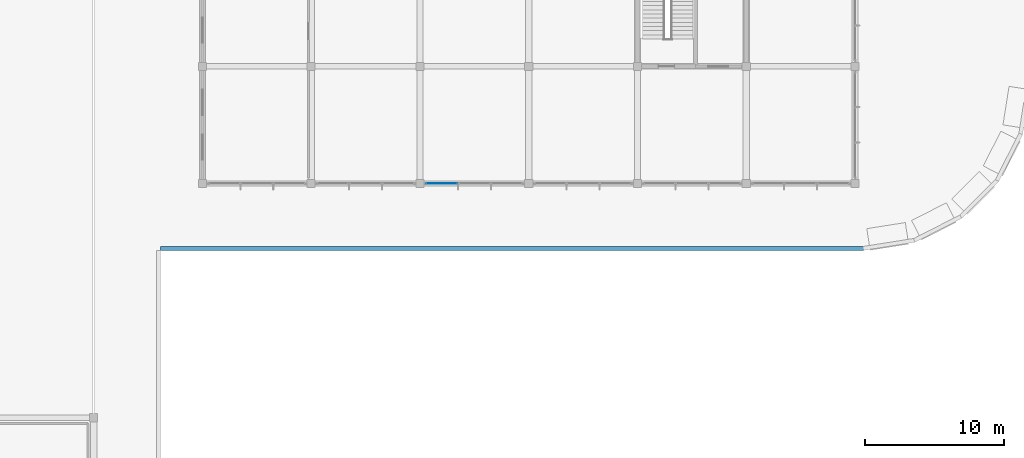
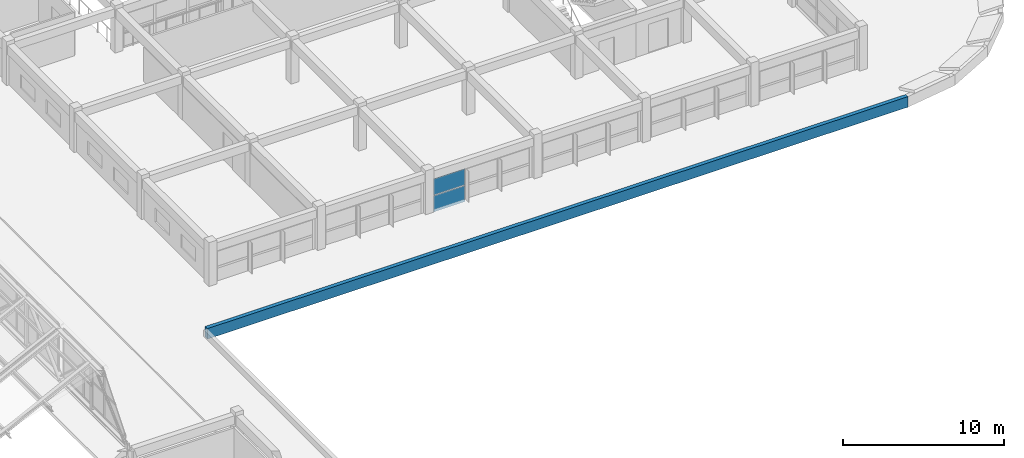
# One storey, part 80 of 101: 3 plates, 1 element without a shape of its own.
"""IFC4 building model written with IfcOpenShell, lengths in metres."""

from ifc_helpers import new_model, si_unit, direction, frame, origin, origin_2d, place, context, subcontext, project, spatial, polyline, rectangle, outline, extrude, material, layer, layer_set, type_object, element, aggregate, save


model = new_model("IFC4")

# Units and contexts
model_context = context("Model", 3, precision=1e-05, world=origin(), true_north=direction((0.0, 1.0)))
body_context = subcontext(model_context, "Body", "Model", "MODEL_VIEW")
ifc_project = project(units=[si_unit("LENGTHUNIT", "METRE"), si_unit("AREAUNIT", "SQUARE_METRE"), si_unit("VOLUMEUNIT", "CUBIC_METRE"), si_unit("PLANEANGLEUNIT", "RADIAN"), si_unit("MASSUNIT", "GRAM", prefix="KILO")], contexts=[model_context])

# Site, building, storey
site_placement = place(None, origin())
site = spatial("IfcSite", under=ifc_project, at=site_placement, CompositionType="ELEMENT")
building_placement = place(site_placement, origin())
building = spatial("IfcBuilding", under=site, at=building_placement, Name="Zizhar Promenade General Hospital", CompositionType="ELEMENT")
storey_placement = place(building_placement, frame((0.0, 0.0, 14.39990234375)))
storey = spatial("IfcBuildingStorey", under=building, at=storey_placement, Name="L03", CompositionType="ELEMENT", Elevation=14.39990234375)

# Curtain wall, plates
ifc_material_1 = material(Name="Anodised aluminium 6063-T6 and low-E glass", Category="aluminium")
ifc_layer_1 = layer(ifc_material_1, 0.159912109375)
ifc_layer_set_1 = layer_set([ifc_layer_1], Name="Anodised aluminium 6063-T6 and low-E glass")
curtain_wall_type = type_object("IfcCurtainWallType", Name="CW-CLN-L03", PredefinedType="NOTDEFINED", material=ifc_layer_set_1)
curtain_wall_placement = place(storey_placement, origin())
curtain_wall = element("IfcCurtainWall", 1, at=curtain_wall_placement, inside=storey, type_object=curtain_wall_type, Name="L03 Clinic Pavilion South Glazing 20", PredefinedType="NOTDEFINED")
ifc_material_2 = material(Name="Low-E solar-control glass", Category="glass")
ifc_layer_2 = layer(ifc_material_2, 0.031982421875)
ifc_layer_set_2 = layer_set([ifc_layer_2], Name="Low-E solar-control glass")
plate_type_1 = type_object("IfcPlateType", Name="CWP-GLZ-32", PredefinedType="CURTAIN_PANEL", material=ifc_layer_set_2)
plate_1_placement = place(storey_placement, frame((157.56005859375, 42.0, 0.06005859375), z_axis=(0.0, 0.0, 1.0), x_axis=(-1.0, 0.0, 0.0)))
plate_1 = element("IfcPlate", 2, at=plate_1_placement, type_object=plate_type_1, Name="CW-11 panel 3.1", PredefinedType="CURTAIN_PANEL", context=body_context, shape_type="SweptSolid", body=[
    extrude(rectangle(XDim=2.239990234375, YDim=0.031982421875, at=origin_2d()), origin(), (0.0, 0.0, 1.0), 1.219970703125),
])
plate_2_placement = place(storey_placement, frame((157.56005859375, 42.0, 1.34033203125), z_axis=(0.0, 0.0, 1.0), x_axis=(-1.0, 0.0, 0.0)))
plate_2 = element("IfcPlate", 3, at=plate_2_placement, type_object=plate_type_1, Name="CW-11 panel 3.2", PredefinedType="CURTAIN_PANEL", context=body_context, shape_type="SweptSolid", body=[
    extrude(rectangle(XDim=2.239990234375, YDim=0.031982421875, at=origin_2d()), origin(), (0.0, 0.0, 1.0), 1.219970703125),
])
aggregate(curtain_wall, [plate_1, plate_2])

# Plate
ifc_material_3 = material(Name="Precast concrete C40/50", Category="concrete")
ifc_layer_3 = layer(ifc_material_3, 0.260009765625)
ifc_layer_set_3 = layer_set([ifc_layer_3], Name="Precast concrete C40/50")
plate_type_2 = type_object("IfcPlateType", Name="PL-PC-BAND950", PredefinedType="USERDEFINED", material=ifc_layer_set_3)
plate_3_placement = place(storey_placement, frame((0.0, 0.0, -0.0498046875)))
element("IfcPlate", 4, at=plate_3_placement, inside=storey, type_object=plate_type_2, Name="Three-Arm Base Roof Upturned Edge Fascia 08", ObjectType="FASCIA_BAND", PredefinedType="USERDEFINED", context=body_context, shape_type="SweptSolid", body=[
    extrude(outline(polyline([(137.39990234375, 37.199951171875), (187.800048828125, 37.199951171875), (187.800048828125, 37.47998046875), (137.39990234375, 37.47998046875), (137.39990234375, 37.199951171875)])), origin(), (0.0, 0.0, 1.0), 0.7998046875),
])

save(model, "model.ifc")
